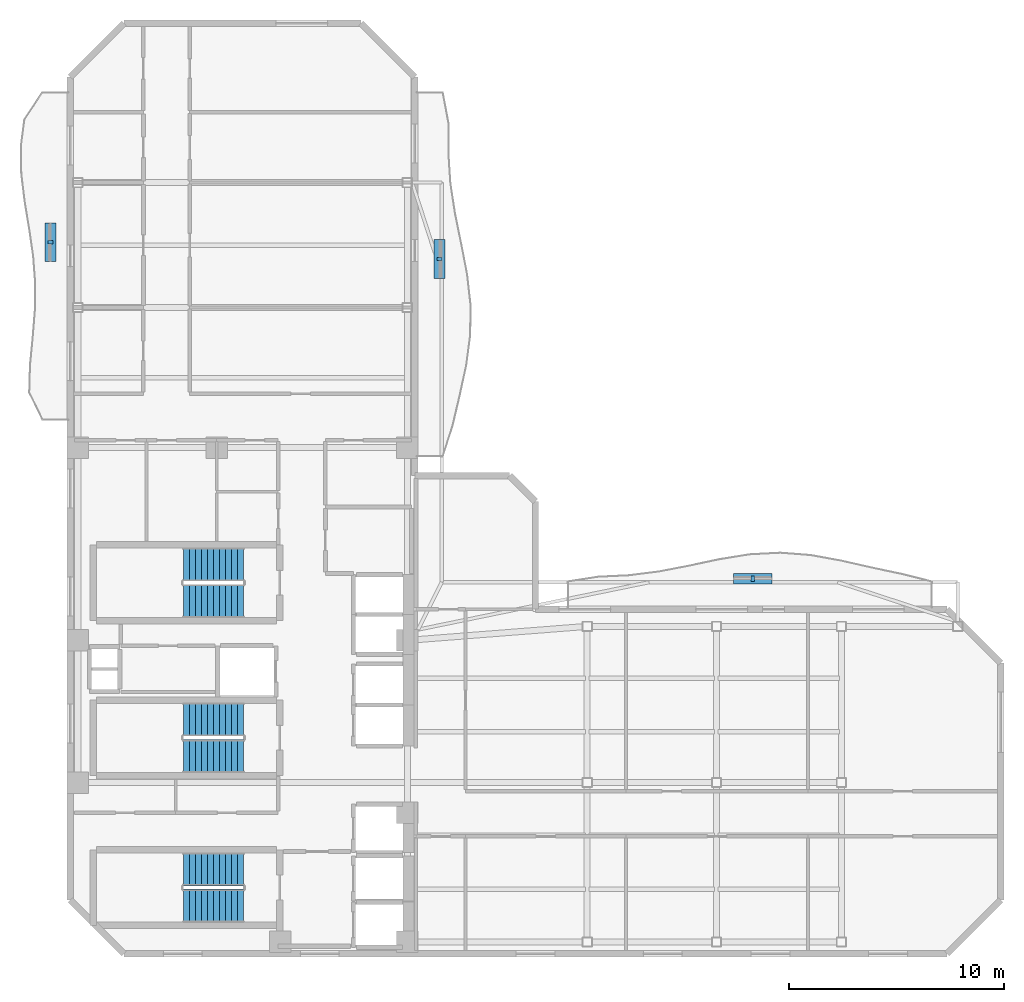
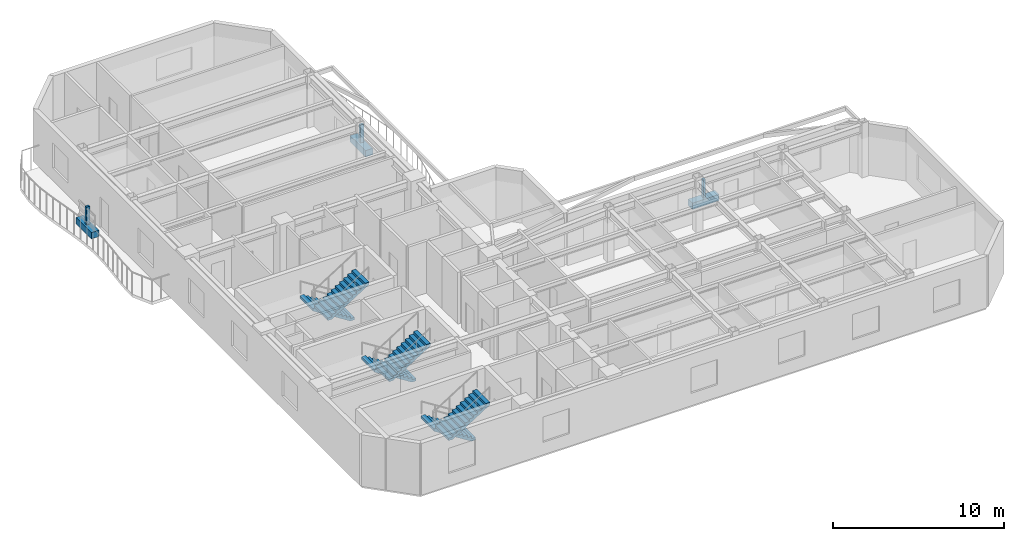
# One storey, part 6 of 9: 6 discrete accessories, 6 stair flights, 3 elements without a shape of their own.
"""IFC4 building model written with IfcOpenShell, lengths in metres."""

from ifc_helpers import new_model, si_unit, direction, frame, origin, origin_2d, place, context, subcontext, project, spatial, polyline, rectangle, outline, extrude, material, type_object, element, aggregate, save


model = new_model("IFC4")

# Units and contexts
model_context = context("Model", 3, precision=1e-05, world=origin(), true_north=direction((0.0, 1.0)))
body_context = subcontext(model_context, "Body", "Model", "MODEL_VIEW")
ifc_project = project(units=[si_unit("LENGTHUNIT", "METRE"), si_unit("AREAUNIT", "SQUARE_METRE"), si_unit("VOLUMEUNIT", "CUBIC_METRE"), si_unit("PLANEANGLEUNIT", "RADIAN"), si_unit("MASSUNIT", "GRAM", prefix="KILO")], contexts=[model_context])

# Site, building, storey
site_placement = place(None, origin())
site = spatial("IfcSite", under=ifc_project, at=site_placement, CompositionType="ELEMENT")
building_placement = place(site_placement, origin())
building = spatial("IfcBuilding", under=site, at=building_placement, Name="Mawjaban Terraces University", CompositionType="ELEMENT")
storey_placement = place(building_placement, frame((0.0, 0.0, 222.60009765625)))
storey = spatial("IfcBuildingStorey", under=building, at=storey_placement, Name="L54", CompositionType="ELEMENT", Elevation=222.60009765625)

# Stair, stair flights
ifc_material_1 = material(Name="Concrete C40/50", Category="concrete")
stair_type = type_object("IfcStairType", Name="Stair_Core1550_H39", PredefinedType="HALF_TURN_STAIR", material=ifc_material_1)
stair_1_placement = place(storey_placement, origin())
stair_1 = element("IfcStair", 1, at=stair_1_placement, inside=storey, type_object=stair_type, Name="L54 Core Exit Stair 1", PredefinedType="HALF_TURN_STAIR")
stair_flight_type = type_object("IfcStairFlightType", Name="Flight_Core1550_H39", PredefinedType="STRAIGHT", material=ifc_material_1)
stair_flight_1_placement = place(storey_placement, frame((30.050048828125, 3.925048828125, 0.0), z_axis=(0.0, 0.0, 1.0), x_axis=(-1.0, 0.0, 0.0)))
stair_flight_1 = element("IfcStairFlight", 2, at=stair_flight_1_placement, type_object=stair_flight_type, Name="ST-1 flight 1", NumberOfRisers=11, NumberOfTreads=10, PredefinedType="STRAIGHT", RiserHeight=0.177272727, TreadLength=0.28, context=body_context, shape_type="SweptSolid", body=[
    extrude(outline(polyline([(0.0, 0.0), (0.0, 0.17724609375), (0.280029296875, 0.17724609375), (0.280029296875, 0.3544921875), (0.56005859375, 0.3544921875), (0.56005859375, 0.53173828125), (0.840087890625, 0.53173828125), (0.840087890625, 0.708984375), (1.1201171875, 0.708984375), (1.1201171875, 0.886474609375), (1.39990234375, 0.886474609375), (1.39990234375, 1.063720703125), (1.679931640625, 1.063720703125), (1.679931640625, 1.240966796875), (1.9599609375, 1.240966796875), (1.9599609375, 1.418212890625), (2.239990234375, 1.418212890625), (2.239990234375, 1.595458984375), (2.52001953125, 1.595458984375), (2.52001953125, 1.772705078125), (2.800048828125, 1.772705078125), (2.800048828125, 1.949951171875), (2.800048828125, 1.59521484375), (0.2802734375, 0.0), (0.0, 0.0)])), frame((0.0, 0.77490234375, 0.0), z_axis=(0.0, -1.0, 0.0), x_axis=(1.0, 0.0, 0.0)), (0.0, 0.0, 1.0), 1.550048828125),
])
stair_flight_2_placement = place(storey_placement, frame((27.25, 2.22509765625, 1.949951171875), z_axis=(0.0, 0.0, 1.0), x_axis=(1.0, 0.0, 0.0)))
stair_flight_2 = element("IfcStairFlight", 3, at=stair_flight_2_placement, type_object=stair_flight_type, Name="ST-1 flight 2", NumberOfRisers=11, NumberOfTreads=10, PredefinedType="STRAIGHT", RiserHeight=0.177272727, TreadLength=0.28, context=body_context, shape_type="SweptSolid", body=[
    extrude(outline(polyline([(0.0, 0.0), (0.0, 0.17724609375), (0.280029296875, 0.17724609375), (0.280029296875, 0.3544921875), (0.56005859375, 0.3544921875), (0.56005859375, 0.53173828125), (0.840087890625, 0.53173828125), (0.840087890625, 0.708984375), (1.1201171875, 0.708984375), (1.1201171875, 0.886474609375), (1.39990234375, 0.886474609375), (1.39990234375, 1.063720703125), (1.679931640625, 1.063720703125), (1.679931640625, 1.240966796875), (1.9599609375, 1.240966796875), (1.9599609375, 1.418212890625), (2.239990234375, 1.418212890625), (2.239990234375, 1.595458984375), (2.52001953125, 1.595458984375), (2.52001953125, 1.772705078125), (2.800048828125, 1.772705078125), (2.800048828125, 1.949951171875), (2.800048828125, 1.59521484375), (0.2802734375, 0.0), (0.0, 0.0)])), frame((0.0, 0.77490234375, 0.0), z_axis=(0.0, -1.0, 0.0), x_axis=(1.0, 0.0, 0.0)), (0.0, 0.0, 1.0), 1.550048828125),
])
aggregate(stair_1, [stair_flight_1, stair_flight_2])

stair_2_placement = place(storey_placement, origin())
stair_2 = element("IfcStair", 4, at=stair_2_placement, inside=storey, type_object=stair_type, Name="L54 Core Exit Stair 2", PredefinedType="HALF_TURN_STAIR")
stair_flight_3_placement = place(storey_placement, frame((30.050048828125, 18.074951171875, 0.0), z_axis=(0.0, 0.0, 1.0), x_axis=(-1.0, 0.0, 0.0)))
stair_flight_3 = element("IfcStairFlight", 5, at=stair_flight_3_placement, type_object=stair_flight_type, Name="ST-2 flight 1", NumberOfRisers=11, NumberOfTreads=10, PredefinedType="STRAIGHT", RiserHeight=0.177272727, TreadLength=0.28, context=body_context, shape_type="SweptSolid", body=[
    extrude(outline(polyline([(0.0, 0.0), (0.0, 0.17724609375), (0.280029296875, 0.17724609375), (0.280029296875, 0.3544921875), (0.56005859375, 0.3544921875), (0.56005859375, 0.53173828125), (0.840087890625, 0.53173828125), (0.840087890625, 0.708984375), (1.1201171875, 0.708984375), (1.1201171875, 0.886474609375), (1.39990234375, 0.886474609375), (1.39990234375, 1.063720703125), (1.679931640625, 1.063720703125), (1.679931640625, 1.240966796875), (1.9599609375, 1.240966796875), (1.9599609375, 1.418212890625), (2.239990234375, 1.418212890625), (2.239990234375, 1.595458984375), (2.52001953125, 1.595458984375), (2.52001953125, 1.772705078125), (2.800048828125, 1.772705078125), (2.800048828125, 1.949951171875), (2.800048828125, 1.59521484375), (0.2802734375, 0.0), (0.0, 0.0)])), frame((0.0, 0.77490234375, 0.0), z_axis=(0.0, -1.0, 0.0), x_axis=(1.0, 0.0, 0.0)), (0.0, 0.0, 1.0), 1.550048828125),
])
stair_flight_4_placement = place(storey_placement, frame((27.25, 16.375, 1.949951171875), z_axis=(0.0, 0.0, 1.0), x_axis=(1.0, 0.0, 0.0)))
stair_flight_4 = element("IfcStairFlight", 6, at=stair_flight_4_placement, type_object=stair_flight_type, Name="ST-2 flight 2", NumberOfRisers=11, NumberOfTreads=10, PredefinedType="STRAIGHT", RiserHeight=0.177272727, TreadLength=0.28, context=body_context, shape_type="SweptSolid", body=[
    extrude(outline(polyline([(0.0, 0.0), (0.0, 0.17724609375), (0.280029296875, 0.17724609375), (0.280029296875, 0.3544921875), (0.56005859375, 0.3544921875), (0.56005859375, 0.53173828125), (0.840087890625, 0.53173828125), (0.840087890625, 0.708984375), (1.1201171875, 0.708984375), (1.1201171875, 0.886474609375), (1.39990234375, 0.886474609375), (1.39990234375, 1.063720703125), (1.679931640625, 1.063720703125), (1.679931640625, 1.240966796875), (1.9599609375, 1.240966796875), (1.9599609375, 1.418212890625), (2.239990234375, 1.418212890625), (2.239990234375, 1.595458984375), (2.52001953125, 1.595458984375), (2.52001953125, 1.772705078125), (2.800048828125, 1.772705078125), (2.800048828125, 1.949951171875), (2.800048828125, 1.59521484375), (0.2802734375, 0.0), (0.0, 0.0)])), frame((0.0, 0.77490234375, 0.0), z_axis=(0.0, -1.0, 0.0), x_axis=(1.0, 0.0, 0.0)), (0.0, 0.0, 1.0), 1.550048828125),
])
aggregate(stair_2, [stair_flight_3, stair_flight_4])

stair_3_placement = place(storey_placement, origin())
stair_3 = element("IfcStair", 7, at=stair_3_placement, inside=storey, type_object=stair_type, Name="L54 Core Exit Stair 3", PredefinedType="HALF_TURN_STAIR")
stair_flight_5_placement = place(storey_placement, frame((30.050048828125, 10.875, 0.0), z_axis=(0.0, 0.0, 1.0), x_axis=(-1.0, 0.0, 0.0)))
stair_flight_5 = element("IfcStairFlight", 8, at=stair_flight_5_placement, type_object=stair_flight_type, Name="ST-3 flight 1", NumberOfRisers=11, NumberOfTreads=10, PredefinedType="STRAIGHT", RiserHeight=0.177272727, TreadLength=0.28, context=body_context, shape_type="SweptSolid", body=[
    extrude(outline(polyline([(0.0, 0.0), (0.0, 0.17724609375), (0.280029296875, 0.17724609375), (0.280029296875, 0.3544921875), (0.56005859375, 0.3544921875), (0.56005859375, 0.53173828125), (0.840087890625, 0.53173828125), (0.840087890625, 0.708984375), (1.1201171875, 0.708984375), (1.1201171875, 0.886474609375), (1.39990234375, 0.886474609375), (1.39990234375, 1.063720703125), (1.679931640625, 1.063720703125), (1.679931640625, 1.240966796875), (1.9599609375, 1.240966796875), (1.9599609375, 1.418212890625), (2.239990234375, 1.418212890625), (2.239990234375, 1.595458984375), (2.52001953125, 1.595458984375), (2.52001953125, 1.772705078125), (2.800048828125, 1.772705078125), (2.800048828125, 1.949951171875), (2.800048828125, 1.59521484375), (0.2802734375, 0.0), (0.0, 0.0)])), frame((0.0, 0.77490234375, 0.0), z_axis=(0.0, -1.0, 0.0), x_axis=(1.0, 0.0, 0.0)), (0.0, 0.0, 1.0), 1.550048828125),
])
stair_flight_6_placement = place(storey_placement, frame((27.25, 9.175048828125, 1.949951171875), z_axis=(0.0, 0.0, 1.0), x_axis=(1.0, 0.0, 0.0)))
stair_flight_6 = element("IfcStairFlight", 9, at=stair_flight_6_placement, type_object=stair_flight_type, Name="ST-3 flight 2", NumberOfRisers=11, NumberOfTreads=10, PredefinedType="STRAIGHT", RiserHeight=0.177272727, TreadLength=0.28, context=body_context, shape_type="SweptSolid", body=[
    extrude(outline(polyline([(0.0, 0.0), (0.0, 0.17724609375), (0.280029296875, 0.17724609375), (0.280029296875, 0.3544921875), (0.56005859375, 0.3544921875), (0.56005859375, 0.53173828125), (0.840087890625, 0.53173828125), (0.840087890625, 0.708984375), (1.1201171875, 0.708984375), (1.1201171875, 0.886474609375), (1.39990234375, 0.886474609375), (1.39990234375, 1.063720703125), (1.679931640625, 1.063720703125), (1.679931640625, 1.240966796875), (1.9599609375, 1.240966796875), (1.9599609375, 1.418212890625), (2.239990234375, 1.418212890625), (2.239990234375, 1.595458984375), (2.52001953125, 1.595458984375), (2.52001953125, 1.772705078125), (2.800048828125, 1.772705078125), (2.800048828125, 1.949951171875), (2.800048828125, 1.59521484375), (0.2802734375, 0.0), (0.0, 0.0)])), frame((0.0, 0.77490234375, 0.0), z_axis=(0.0, -1.0, 0.0), x_axis=(1.0, 0.0, 0.0)), (0.0, 0.0, 1.0), 1.550048828125),
])
aggregate(stair_3, [stair_flight_5, stair_flight_6])

# Discrete accessories
ifc_material_2 = material(Name="Stainless steel 316L", Category="steel")
discrete_accessory_type_1 = type_object("IfcDiscreteAccessoryType", Name="FacadeScreenBracket_Steel", PredefinedType="BRACKET", material=ifc_material_2)
for number, where, z_axis, x_axis, name in (
    (10, (21.092041015625, 33.033935546875, 0.419921875), (0.0, 0.0, 1.0), (0.0, 1.0, 0.0), "L54 Balcony Screen Support Bracket west"),
    (11, (53.681884765625, 17.409912109375, 0.419921875), (0.0, 0.0, 1.0), (1.0, 0.0, 0.0), "L54 Balcony Screen Support Bracket inner_north"),
    (12, (39.14404296875, 32.25390625, 0.419921875), (0.0, 0.0, 1.0), (0.0, 1.0, 0.0), "L54 Balcony Screen Support Bracket inner_east"),
):
    element("IfcDiscreteAccessory", number, at=place(storey_placement, frame(where, z_axis=z_axis, x_axis=x_axis)), inside=storey, type_object=discrete_accessory_type_1, Name=name, PredefinedType="BRACKET", context=body_context, shape_type="SweptSolid", body=[
        extrude(rectangle(XDim=0.159912109375, YDim=0.239990234375, at=origin_2d()), origin(), (0.0, 0.0, 1.0), 1.300048828125),
    ])
ifc_material_3 = material(Name="Precast architectural terracotta planter with engineered planting soil", Category="masonry")
discrete_accessory_type_2 = type_object("IfcDiscreteAccessoryType", Name="IrrigatedPlanterTrough_450", PredefinedType="USERDEFINED", material=ifc_material_3)
for number, where, z_axis, x_axis, name in (
    (13, (21.092041015625, 33.033935546875, -0.0048828125), (0.0, 0.0, 1.0), (0.0, 1.0, 0.0), "L54 Balcony Irrigated Planter west"),
    (14, (53.681884765625, 17.409912109375, -0.0048828125), (0.0, 0.0, 1.0), (1.0, 0.0, 0.0), "L54 Balcony Irrigated Planter inner_north"),
    (15, (39.14404296875, 32.25390625, -0.0048828125), (0.0, 0.0, 1.0), (0.0, 1.0, 0.0), "L54 Balcony Irrigated Planter inner_east"),
):
    element("IfcDiscreteAccessory", number, at=place(storey_placement, frame(where, z_axis=z_axis, x_axis=x_axis)), inside=storey, type_object=discrete_accessory_type_2, Name=name, ObjectType="PLANTER", PredefinedType="USERDEFINED", context=body_context, shape_type="SweptSolid", body=[
        extrude(rectangle(XDim=1.800048828125, YDim=0.5, at=origin_2d()), origin(), (0.0, 0.0, 1.0), 0.449951171875),
    ])

save(model, "model.ifc")
